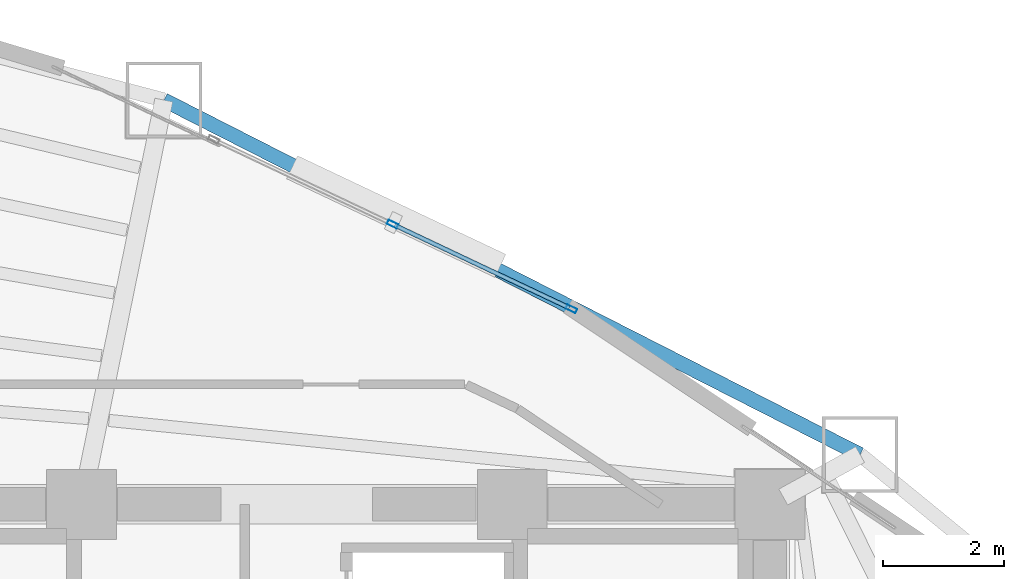
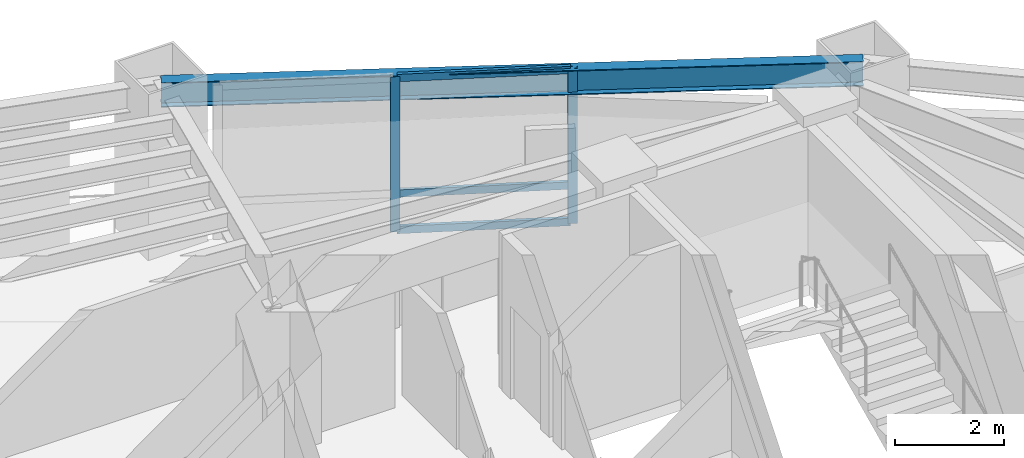
# One storey, part 14 of 23: 5 members, 1 beam, 1 element without a shape of its own.
"""IFC4 building model written with IfcOpenShell, lengths in metres."""

from ifc_helpers import new_model, si_unit, direction, frame, origin, origin_2d, place, context, subcontext, project, spatial, hollow_rectangle, i_section, extrude, material, layer, layer_set, material_profile, profile_set, type_object, element, aggregate, save


model = new_model("IFC4")

# Units and contexts
model_context = context("Model", 3, precision=1e-05, world=origin(), true_north=direction((0.0, 1.0)))
body_context = subcontext(model_context, "Body", "Model", "MODEL_VIEW")
ifc_project = project(units=[si_unit("LENGTHUNIT", "METRE"), si_unit("AREAUNIT", "SQUARE_METRE"), si_unit("VOLUMEUNIT", "CUBIC_METRE"), si_unit("PLANEANGLEUNIT", "RADIAN"), si_unit("MASSUNIT", "GRAM", prefix="KILO")], contexts=[model_context])

# Site, building, storey
site_placement = place(None, origin())
site = spatial("IfcSite", under=ifc_project, at=site_placement, CompositionType="ELEMENT")
building_placement = place(site_placement, origin())
building = spatial("IfcBuilding", under=site, at=building_placement, Name="Menara Vayukalpa", CompositionType="ELEMENT")
storey_placement = place(building_placement, frame((0.0, 0.0, 107.699951171875)))
storey = spatial("IfcBuildingStorey", under=building, at=storey_placement, Name="L26", CompositionType="ELEMENT", Elevation=107.699951171875)

# Beam
ifc_material_1 = material(Name="Steel S355", Category="steel")
ifc_material_profile_1 = material_profile(ifc_material_1, i_section(OverallWidth=0.239990234375, OverallDepth=0.550048828125, WebThickness=0.010986328125, FlangeThickness=0.01904296875, at=origin_2d()), Name="WF 550x240x11x19")
ifc_profile_set_1 = profile_set([ifc_material_profile_1], Name="Steel S355")
beam_type = type_object("IfcBeamType", Name="BM-SP2", PredefinedType="SPANDREL", material=ifc_profile_set_1)
beam_placement = place(storey_placement, frame((34.88671875, 27.62158203125, 3.195068359375), z_axis=(-0.891097345221, 0.453812209333, 0.0), x_axis=(-0.453812209333, -0.891097345221, 0.0)))
element("IfcBeam", 1, at=beam_placement, inside=storey, type_object=beam_type, Name="L26 Perimeter Spandrel Beam SP02", PredefinedType="SPANDREL", context=body_context, shape_type="SweptSolid", body=[
    extrude(i_section(OverallWidth=0.239990234375, OverallDepth=0.550048828125, WebThickness=0.010986328125, FlangeThickness=0.01904296875, at=origin_2d()), origin(), (0.0, 0.0, 1.0), 12.88134765625),
])

# Curtain wall, members
ifc_material_2 = material(Name="Anodised Terracotta Aluminium Alloy 6063-T6", Category="masonry")
ifc_layer = layer(ifc_material_2, 0.179931640625)
ifc_layer_set = layer_set([ifc_layer], Name="Anodised Terracotta Aluminium Alloy 6063-T6")
curtain_wall_type = type_object("IfcCurtainWallType", Name="CW-CW4", PredefinedType="USERDEFINED", material=ifc_layer_set)
curtain_wall_placement = place(storey_placement, origin())
curtain_wall = element("IfcCurtainWall", 2, at=curtain_wall_placement, inside=storey, type_object=curtain_wall_type, Name="L26 Sky Bar Cantilever Glazed Curtain Wall CW4 05", ObjectType="UNITISED", PredefinedType="USERDEFINED")
ifc_material_3 = material(Name="Anodised Terracotta Aluminium Alloy 6063-T6", Category="masonry")
ifc_material_profile_2 = material_profile(ifc_material_3, hollow_rectangle(XDim=0.074951171875, YDim=0.179931640625, WallThickness=0.00390625, at=origin_2d()), Name="ALU 75x180x4")
ifc_profile_set_2 = profile_set([ifc_material_profile_2], Name="Anodised Terracotta Aluminium Alloy 6063-T6")
member_type_1 = type_object("IfcMemberType", Name="CWM-CW4", PredefinedType="MULLION", material=ifc_profile_set_2)
member_1_placement = place(storey_placement, frame((30.127197265625, 30.023681640625, 0.0), z_axis=(0.0, 0.0, 1.0), x_axis=(-0.427870715016, -0.903839947796, 0.0)))
member_1 = element("IfcMember", 3, at=member_1_placement, type_object=member_type_1, Name="CW4 mullion 1", PredefinedType="MULLION", context=body_context, shape_type="SweptSolid", body=[
    extrude(hollow_rectangle(XDim=0.074951171875, YDim=0.179931640625, WallThickness=0.00390625, at=origin_2d()), origin(), (0.0, 0.0, 1.0), 3.469970703125),
])
member_2_placement = place(storey_placement, frame((27.178955078125, 31.41943359375, 0.0), z_axis=(0.0, 0.0, 1.0), x_axis=(-0.427870715016, -0.903839947796, 0.0)))
member_2 = element("IfcMember", 4, at=member_2_placement, type_object=member_type_1, Name="CW4 mullion 2", PredefinedType="MULLION", context=body_context, shape_type="SweptSolid", body=[
    extrude(hollow_rectangle(XDim=0.074951171875, YDim=0.179931640625, WallThickness=0.00390625, at=origin_2d()), origin(), (0.0, 0.0, 1.0), 3.469970703125),
])
ifc_material_4 = material(Name="Anodised Terracotta Aluminium Alloy 6063-T6", Category="masonry")
ifc_material_profile_3 = material_profile(ifc_material_4, hollow_rectangle(XDim=0.070068359375, YDim=0.1650390625, WallThickness=0.00390625, at=origin_2d()), Name="ALU 70x165x4")
ifc_profile_set_3 = profile_set([ifc_material_profile_3], Name="Anodised Terracotta Aluminium Alloy 6063-T6")
member_type_2 = type_object("IfcMemberType", Name="CWT-CW4", PredefinedType="USERDEFINED", material=ifc_profile_set_3)
member_3_placement = place(storey_placement, frame((30.093505859375, 30.039794921875, 0.03515625), z_axis=(-0.903856350553, 0.42783606389, 0.0), x_axis=(-0.42783606389, -0.903856350553, 0.0)))
member_3 = element("IfcMember", 5, at=member_3_placement, type_object=member_type_2, Name="CW4 transom 1.1", ObjectType="TRANSOM", PredefinedType="USERDEFINED", context=body_context, shape_type="SweptSolid", body=[
    extrude(hollow_rectangle(XDim=0.070068359375, YDim=0.1650390625, WallThickness=0.00390625, at=origin_2d()), origin(), (0.0, 0.0, 1.0), 3.18701171875),
])
member_4_placement = place(storey_placement, frame((30.093505859375, 30.039794921875, 0.85009765625), z_axis=(-0.903856350553, 0.42783606389, 0.0), x_axis=(-0.42783606389, -0.903856350553, 0.0)))
member_4 = element("IfcMember", 6, at=member_4_placement, type_object=member_type_2, Name="CW4 transom 1.2", ObjectType="TRANSOM", PredefinedType="USERDEFINED", context=body_context, shape_type="SweptSolid", body=[
    extrude(hollow_rectangle(XDim=0.070068359375, YDim=0.1650390625, WallThickness=0.00390625, at=origin_2d()), origin(), (0.0, 0.0, 1.0), 3.18701171875),
])
member_5_placement = place(storey_placement, frame((30.093505859375, 30.039794921875, 3.43505859375), z_axis=(-0.903856350553, 0.42783606389, 0.0), x_axis=(-0.42783606389, -0.903856350553, 0.0)))
member_5 = element("IfcMember", 7, at=member_5_placement, type_object=member_type_2, Name="CW4 transom 1.3", ObjectType="TRANSOM", PredefinedType="USERDEFINED", context=body_context, shape_type="SweptSolid", body=[
    extrude(hollow_rectangle(XDim=0.070068359375, YDim=0.1650390625, WallThickness=0.00390625, at=origin_2d()), origin(), (0.0, 0.0, 1.0), 3.18701171875),
])
aggregate(curtain_wall, [member_1, member_2, member_3, member_4, member_5])

save(model, "model.ifc")
